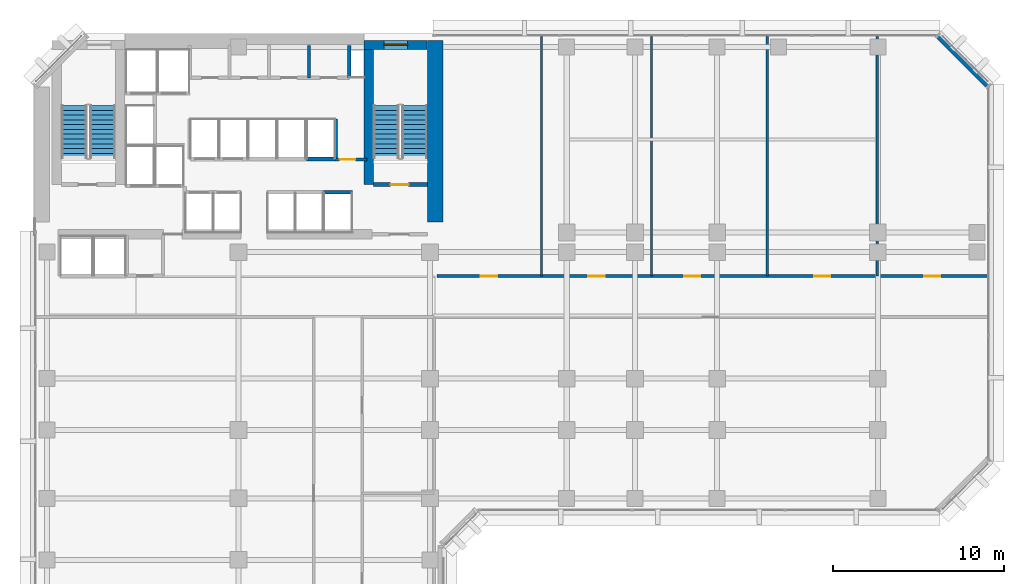
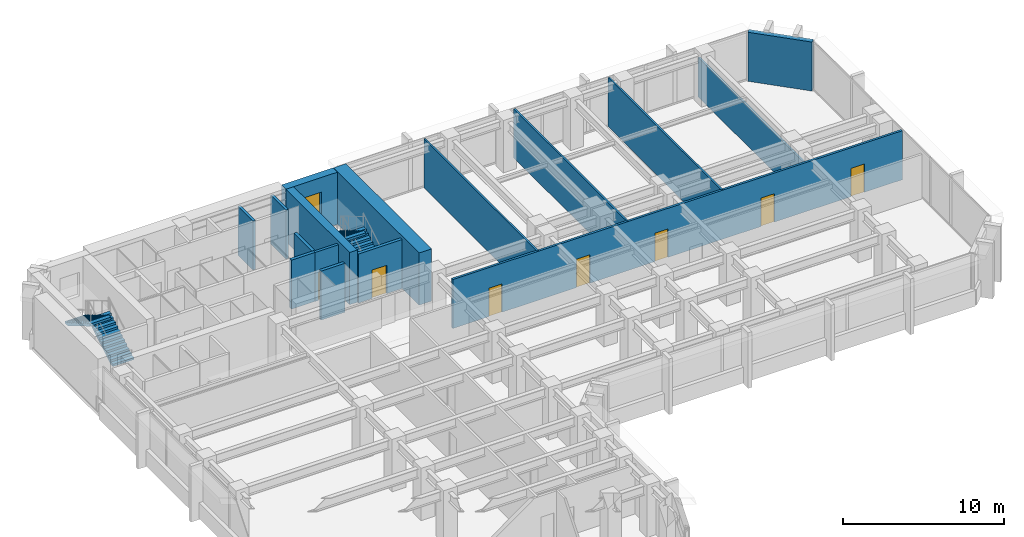
# One storey, part 8 of 13: 16 walls, 7 doors, 4 stair flights, 1 window, 8 openings, 2 elements without a shape of their own.
"""IFC4 building model written with IfcOpenShell, lengths in metres."""

from ifc_helpers import new_model, si_unit, direction, frame, frame_2d, origin, place, context, subcontext, project, spatial, polyline, rectangle, outline, extrude, material, layer, layer_set, type_object, element, fill, aggregate, save


model = new_model("IFC4")

# Units and contexts
model_context = context("Model", 3, precision=1e-05, world=origin(), true_north=direction((0.0, 1.0)))
body_context = subcontext(model_context, "Body", "Model", "MODEL_VIEW")
ifc_project = project(units=[si_unit("LENGTHUNIT", "METRE"), si_unit("AREAUNIT", "SQUARE_METRE"), si_unit("VOLUMEUNIT", "CUBIC_METRE"), si_unit("PLANEANGLEUNIT", "RADIAN"), si_unit("MASSUNIT", "GRAM", prefix="KILO")], contexts=[model_context])

# Site, building, storey
site_placement = place(None, origin())
site = spatial("IfcSite", under=ifc_project, at=site_placement, CompositionType="ELEMENT")
building_placement = place(site_placement, origin())
building = spatial("IfcBuilding", under=site, at=building_placement, Name="Kefirva Bronze Tower", CompositionType="ELEMENT")
storey_placement = place(building_placement, frame((0.0, 0.0, 73.919921875)))
storey = spatial("IfcBuildingStorey", under=building, at=storey_placement, Name="L17", CompositionType="ELEMENT", Elevation=73.919921875)

# Walls
ifc_material_1 = material(Name="Gypsum acoustic partition")
ifc_layer_1 = layer(ifc_material_1, 0.1298828125, Name="Gypsum acoustic partition")
ifc_layer_set_1 = layer_set([ifc_layer_1], Name="Gypsum acoustic partition")
wall_type_1 = type_object("IfcWallType", Name="Acoustic Office Partition 130mm", PredefinedType="PARTITIONING", material=ifc_layer_set_1)
for number, where, z_axis, x_axis, name in (
    (1, (29.719970703125, 31.800048828125, 0.0), (0.0, 0.0, 1.0), (0.0, 1.0, 0.0), "L17 Partition W-L17-END1"),
    (2, (36.161865234375, 31.800048828125, 0.0), (0.0, 0.0, 1.0), (0.0, 1.0, 0.0), "L17 Partition W-L17-END2"),
    (3, (42.926025390625, 31.800048828125, 0.0), (0.0, 0.0, 1.0), (0.0, 1.0, 0.0), "L17 Partition W-L17-END3"),
):
    element("IfcWall", number, at=place(storey_placement, frame(where, z_axis=z_axis, x_axis=x_axis)), inside=storey, type_object=wall_type_1, Name=name, PredefinedType="PARTITIONING", context=body_context, shape_type="SweptSolid", body=[
        extrude(rectangle(XDim=14.010009765625, YDim=0.1298828125, at=frame_2d((7.0048828125, 0.0))), origin(), (0.0, 0.0, 1.0), 3.7099609375),
    ])
wall_1_placement = place(storey_placement, frame((49.367919921875, 31.800048828125, 0.0), z_axis=(0.0, 0.0, 1.0), x_axis=(0.0, 1.0, 0.0)))
element("IfcWall", 4, at=wall_1_placement, inside=storey, type_object=wall_type_1, Name="L17 Partition W-L17-END4", PredefinedType="PARTITIONING", context=body_context, shape_type="SweptSolid", body=[
    extrude(rectangle(XDim=14.010009765625, YDim=0.1298828125, at=frame_2d((7.0048828125, 0.0))), origin(), (0.0, 0.0, 1.0), 2.9951171875),
])

# Wall, opening, door
ifc_material_2 = material(Name="Gypsum fireboard shaftwall")
ifc_layer_2 = layer(ifc_material_2, 0.219970703125, Name="Gypsum fireboard shaftwall")
ifc_layer_set_2 = layer_set([ifc_layer_2], Name="Gypsum fireboard shaftwall")
wall_type_2 = type_object("IfcWallType", Name="Fire-Rated Shaft Enclosure Wall 220mm", PredefinedType="PARTITIONING", material=ifc_layer_set_2)
wall_2_placement = place(storey_placement, frame((19.89990234375, 37.14990234375, 0.0), z_axis=(0.0, 0.0, 1.0), x_axis=(1.0, 0.0, 0.0)))
wall_2 = element("IfcWall", 5, at=wall_2_placement, inside=storey, type_object=wall_type_2, Name="L17 Partition W-L17-ST2S", PredefinedType="PARTITIONING", context=body_context, shape_type="SweptSolid", body=[
    extrude(rectangle(XDim=3.150146484375, YDim=0.219970703125, at=frame_2d((1.5751953125, 0.0))), origin(), (0.0, 0.0, 1.0), 3.7099609375),
])
opening_1_placement = place(wall_2_placement, frame((2.050048828125, 0.0, 0.0), z_axis=(0.0, 0.0, 1.0), x_axis=(-1.0, 0.0, 0.0)))
opening_1 = element("IfcOpeningElement", 6, at=opening_1_placement, cuts=wall_2, Name="Opening L17-D003", PredefinedType="OPENING", context=body_context, shape_type="SweptSolid", body=[
    extrude(rectangle(XDim=1.050048828125, YDim=2.14990234375, at=frame_2d((0.52490234375, 1.074951171875))), frame((0.0, 0.1201171875, 0.0), z_axis=(0.0, -1.0, 0.0), x_axis=(1.0, 0.0, 0.0)), (0.0, 0.0, 1.0), 0.239990234375),
])
ifc_material_3 = material(Name="Painted galvanized steel", Category="steel")
door_type_1 = type_object("IfcDoorType", Name="Fire Stair Enclosure Door 1050x2150 FD90S", OperationType="NOTDEFINED", PredefinedType="DOOR", material=ifc_material_3)
door_1_placement = place(opening_1_placement, origin())
door_1 = element("IfcDoor", 7, at=door_1_placement, inside=storey, type_object=door_type_1, Name="Door L17-D003", OperationType="SINGLE_SWING_LEFT", OverallHeight=2.14990234375, OverallWidth=1.050048828125, PredefinedType="DOOR", context=body_context, shape_type="SweptSolid", body=[
    extrude(rectangle(XDim=1.050048828125, YDim=2.14990234375, at=frame_2d((0.52490234375, 1.074951171875))), frame((0.0, 0.02490234375, 0.0), z_axis=(0.0, -1.0, 0.0), x_axis=(1.0, 0.0, 0.0)), (0.0, 0.0, 1.0), 0.050048828125),
])
fill(opening_1, door_1)

# Walls
wall_3_placement = place(storey_placement, frame((17.679931640625, 38.64990234375, 0.0), z_axis=(0.0, 0.0, 1.0), x_axis=(0.0, 1.0, 0.0)))
element("IfcWall", 8, at=wall_3_placement, inside=storey, type_object=wall_type_2, Name="L17 Partition W-L17-HP2E", PredefinedType="PARTITIONING", context=body_context, shape_type="SweptSolid", body=[
    extrude(rectangle(XDim=2.35009765625, YDim=0.199951171875, at=frame_2d((1.175048828125, 0.0))), origin(), (0.0, 0.0, 1.0), 3.7099609375),
])
wall_4_placement = place(storey_placement, frame((16.97998046875, 36.699951171875, 0.0), z_axis=(0.0, 0.0, 1.0), x_axis=(1.0, 0.0, 0.0)))
element("IfcWall", 9, at=wall_4_placement, inside=storey, type_object=wall_type_2, Name="L17 Partition W-L17-HPS", PredefinedType="PARTITIONING", context=body_context, shape_type="SweptSolid", body=[
    extrude(rectangle(XDim=1.699951171875, YDim=0.219970703125, at=frame_2d((0.85009765625, 0.0))), origin(), (0.0, 0.0, 1.0), 3.7099609375),
])
wall_5_placement = place(storey_placement, frame((15.97998046875, 38.64990234375, 0.0), z_axis=(0.0, 0.0, 1.0), x_axis=(1.0, 0.0, 0.0)))
element("IfcWall", 10, at=wall_5_placement, inside=storey, type_object=wall_type_2, Name="L17 Partition W-L17-HPN", PredefinedType="PARTITIONING", context=body_context, shape_type="SweptSolid", body=[
    extrude(rectangle(XDim=1.719970703125, YDim=0.219970703125, at=frame_2d((0.85986328125, 0.0))), origin(), (0.0, 0.0, 1.0), 3.7099609375),
])

# Wall, opening, door
ifc_material_4 = material(Name="Gypsum fireboard barrier")
ifc_layer_3 = layer(ifc_material_4, 0.199951171875, Name="Gypsum fireboard barrier")
ifc_layer_set_3 = layer_set([ifc_layer_3], Name="Gypsum fireboard barrier")
wall_type_3 = type_object("IfcWallType", Name="Firefighting Lobby Barrier Wall 200mm", PredefinedType="PARTITIONING", material=ifc_layer_set_3)
wall_6_placement = place(storey_placement, frame((17.679931640625, 38.6201171875, 0.0), z_axis=(0.0, 0.0, 1.0), x_axis=(1.0, 0.0, 0.0)))
wall_6 = element("IfcWall", 11, at=wall_6_placement, inside=storey, type_object=wall_type_3, Name="L17 Partition W-L17-CPASS", PredefinedType="PARTITIONING", context=body_context, shape_type="SweptSolid", body=[
    extrude(rectangle(XDim=1.840087890625, YDim=0.179931640625, at=frame_2d((0.919921875, 0.0))), origin(), (0.0, 0.0, 1.0), 3.7099609375),
])
opening_2_placement = place(wall_6_placement, frame((0.239990234375, 0.0, 0.0)))
opening_2 = element("IfcOpeningElement", 12, at=opening_2_placement, cuts=wall_6, Name="Opening L17-D-CPAS", PredefinedType="OPENING", context=body_context, shape_type="SweptSolid", body=[
    extrude(rectangle(XDim=0.919921875, YDim=2.10009765625, at=frame_2d((0.4599609375, 1.050048828125))), frame((0.0, 0.10009765625, 0.0), z_axis=(0.0, -1.0, 0.0), x_axis=(1.0, 0.0, 0.0)), (0.0, 0.0, 1.0), 0.199951171875),
])
ifc_material_5 = material(Name="Moisture-resistant timber", Category="wood")
door_type_2 = type_object("IfcDoorType", Name="Accessible Sanitary & WC Door 920x2100", OperationType="NOTDEFINED", PredefinedType="DOOR", material=ifc_material_5)
door_2_placement = place(opening_2_placement, origin())
door_2 = element("IfcDoor", 13, at=door_2_placement, inside=storey, type_object=door_type_2, Name="Door L17-D-CPAS", OperationType="SINGLE_SWING_LEFT", OverallHeight=2.10009765625, OverallWidth=0.919921875, PredefinedType="DOOR", context=body_context, shape_type="SweptSolid", body=[
    extrude(rectangle(XDim=0.919921875, YDim=2.10009765625, at=frame_2d((0.4599609375, 1.050048828125))), frame((0.0, 0.02490234375, 0.0), z_axis=(0.0, -1.0, 0.0), x_axis=(1.0, 0.0, 0.0)), (0.0, 0.0, 1.0), 0.050048828125),
])
fill(opening_2, door_2)

# Wall
ifc_material_6 = material(Name="Precast concrete C40/50", Category="concrete")
ifc_layer_4 = layer(ifc_material_6, 0.320068359375, Name="Precast concrete C40/50")
ifc_layer_set_4 = layer_set([ifc_layer_4], Name="Precast concrete C40/50")
wall_type_4 = type_object("IfcWallType", Name="Precast Insulated Exterior Wall 320mm", PredefinedType="SOLIDWALL", material=ifc_layer_set_4)
wall_7_placement = place(storey_placement, frame((55.847900390625, 42.92578125, 0.0), z_axis=(0.0, 0.0, 1.0), x_axis=(-0.707106781187, 0.707106781187, 0.0)))
element("IfcWall", 14, at=wall_7_placement, inside=storey, type_object=wall_type_4, Name="L17 Exterior Facade Wall 5", PredefinedType="SOLIDWALL", context=body_context, shape_type="SweptSolid", body=[
    extrude(rectangle(XDim=4.132568359375, YDim=0.320068359375, at=frame_2d((2.06640625, 0.0))), origin(), (0.0, 0.0, 1.0), 3.7099609375),
])

# Wall, openings, doors
ifc_layer_5 = layer(ifc_material_1, 0.159912109375, Name="Gypsum acoustic partition")
ifc_layer_set_5 = layer_set([ifc_layer_5], Name="Gypsum acoustic partition")
wall_type_5 = type_object("IfcWallType", Name="Protected Corridor Partition 160mm", PredefinedType="PARTITIONING", material=ifc_layer_set_5)
wall_8_placement = place(storey_placement, frame((23.60009765625, 31.800048828125, 0.0), z_axis=(0.0, 0.0, 1.0), x_axis=(1.0, 0.0, 0.0)))
wall_8 = element("IfcWall", 15, at=wall_8_placement, inside=storey, type_object=wall_type_5, Name="L17 Partition W-L17-EWN", PredefinedType="PARTITIONING", context=body_context, shape_type="SweptSolid", body=[
    extrude(rectangle(XDim=32.2099609375, YDim=0.159912109375, at=frame_2d((16.10498046875, 0.0))), origin(), (0.0, 0.0, 1.0), 3.7099609375),
])
opening_3_placement = place(wall_8_placement, frame((2.5849609375, 0.0, 0.0)))
opening_3 = element("IfcOpeningElement", 16, at=opening_3_placement, cuts=wall_8, Name="Opening L17-D-EN1", PredefinedType="OPENING", context=body_context, shape_type="SweptSolid", body=[
    extrude(rectangle(XDim=0.949951171875, YDim=2.14990234375, at=frame_2d((0.47509765625, 1.074951171875))), frame((0.0, 0.08984375, 0.0), z_axis=(0.0, -1.0, 0.0), x_axis=(1.0, 0.0, 0.0)), (0.0, 0.0, 1.0), 0.179931640625),
])
opening_4_placement = place(wall_8_placement, frame((8.865966796875, 0.0, 0.0)))
opening_4 = element("IfcOpeningElement", 17, at=opening_4_placement, cuts=wall_8, Name="Opening L17-D-EN2", PredefinedType="OPENING", context=body_context, shape_type="SweptSolid", body=[
    extrude(rectangle(XDim=0.949951171875, YDim=2.14990234375, at=frame_2d((0.47509765625, 1.074951171875))), frame((0.0, 0.08984375, 0.0), z_axis=(0.0, -1.0, 0.0), x_axis=(1.0, 0.0, 0.0)), (0.0, 0.0, 1.0), 0.179931640625),
])
opening_5_placement = place(wall_8_placement, frame((14.468994140625, 0.0, 0.0)))
opening_5 = element("IfcOpeningElement", 18, at=opening_5_placement, cuts=wall_8, Name="Opening L17-D-EN3", PredefinedType="OPENING", context=body_context, shape_type="SweptSolid", body=[
    extrude(rectangle(XDim=0.949951171875, YDim=2.14990234375, at=frame_2d((0.47509765625, 1.074951171875))), frame((0.0, 0.08984375, 0.0), z_axis=(0.0, -1.0, 0.0), x_axis=(1.0, 0.0, 0.0)), (0.0, 0.0, 1.0), 0.179931640625),
])
opening_6_placement = place(wall_8_placement, frame((22.072021484375, 0.0, 0.0)))
opening_6 = element("IfcOpeningElement", 19, at=opening_6_placement, cuts=wall_8, Name="Opening L17-D-EN4", PredefinedType="OPENING", context=body_context, shape_type="SweptSolid", body=[
    extrude(rectangle(XDim=0.949951171875, YDim=2.14990234375, at=frame_2d((0.47509765625, 1.074951171875))), frame((0.0, 0.08984375, 0.0), z_axis=(0.0, -1.0, 0.0), x_axis=(1.0, 0.0, 0.0)), (0.0, 0.0, 1.0), 0.179931640625),
])
opening_7_placement = place(wall_8_placement, frame((28.513916015625, 0.0, 0.0)))
opening_7 = element("IfcOpeningElement", 20, at=opening_7_placement, cuts=wall_8, Name="Opening L17-D-EN5", PredefinedType="OPENING", context=body_context, shape_type="SweptSolid", body=[
    extrude(rectangle(XDim=0.949951171875, YDim=2.14990234375, at=frame_2d((0.47509765625, 1.074951171875))), frame((0.0, 0.08984375, 0.0), z_axis=(0.0, -1.0, 0.0), x_axis=(1.0, 0.0, 0.0)), (0.0, 0.0, 1.0), 0.179931640625),
])
ifc_material_7 = material(Name="Acoustic hardwood oak", Category="wood")
door_type_3 = type_object("IfcDoorType", Name="Office & Meeting Room Door 950x2150", OperationType="NOTDEFINED", PredefinedType="DOOR", material=ifc_material_7)
door_3_placement = place(opening_3_placement, origin())
door_3 = element("IfcDoor", 21, at=door_3_placement, inside=storey, type_object=door_type_3, Name="Door L17-D-EN1", OperationType="SINGLE_SWING_LEFT", OverallHeight=2.14990234375, OverallWidth=0.949951171875, PredefinedType="DOOR", context=body_context, shape_type="SweptSolid", body=[
    extrude(rectangle(XDim=0.949951171875, YDim=2.14990234375, at=frame_2d((0.47509765625, 1.074951171875))), frame((0.0, 0.02490234375, 0.0), z_axis=(0.0, -1.0, 0.0), x_axis=(1.0, 0.0, 0.0)), (0.0, 0.0, 1.0), 0.050048828125),
])
fill(opening_3, door_3)
door_4_placement = place(opening_4_placement, origin())
door_4 = element("IfcDoor", 22, at=door_4_placement, inside=storey, type_object=door_type_3, Name="Door L17-D-EN2", OperationType="SINGLE_SWING_RIGHT", OverallHeight=2.14990234375, OverallWidth=0.949951171875, PredefinedType="DOOR", context=body_context, shape_type="SweptSolid", body=[
    extrude(rectangle(XDim=0.949951171875, YDim=2.14990234375, at=frame_2d((0.47509765625, 1.074951171875))), frame((0.0, 0.02490234375, 0.0), z_axis=(0.0, -1.0, 0.0), x_axis=(1.0, 0.0, 0.0)), (0.0, 0.0, 1.0), 0.050048828125),
])
fill(opening_4, door_4)
door_5_placement = place(opening_5_placement, origin())
door_5 = element("IfcDoor", 23, at=door_5_placement, inside=storey, type_object=door_type_3, Name="Door L17-D-EN3", OperationType="SINGLE_SWING_LEFT", OverallHeight=2.14990234375, OverallWidth=0.949951171875, PredefinedType="DOOR", context=body_context, shape_type="SweptSolid", body=[
    extrude(rectangle(XDim=0.949951171875, YDim=2.14990234375, at=frame_2d((0.47509765625, 1.074951171875))), frame((0.0, 0.02490234375, 0.0), z_axis=(0.0, -1.0, 0.0), x_axis=(1.0, 0.0, 0.0)), (0.0, 0.0, 1.0), 0.050048828125),
])
fill(opening_5, door_5)
door_6_placement = place(opening_6_placement, origin())
door_6 = element("IfcDoor", 24, at=door_6_placement, inside=storey, type_object=door_type_3, Name="Door L17-D-EN4", OperationType="SINGLE_SWING_RIGHT", OverallHeight=2.14990234375, OverallWidth=0.949951171875, PredefinedType="DOOR", context=body_context, shape_type="SweptSolid", body=[
    extrude(rectangle(XDim=0.949951171875, YDim=2.14990234375, at=frame_2d((0.47509765625, 1.074951171875))), frame((0.0, 0.02490234375, 0.0), z_axis=(0.0, -1.0, 0.0), x_axis=(1.0, 0.0, 0.0)), (0.0, 0.0, 1.0), 0.050048828125),
])
fill(opening_6, door_6)
door_7_placement = place(opening_7_placement, origin())
door_7 = element("IfcDoor", 25, at=door_7_placement, inside=storey, type_object=door_type_3, Name="Door L17-D-EN5", OperationType="SINGLE_SWING_LEFT", OverallHeight=2.14990234375, OverallWidth=0.949951171875, PredefinedType="DOOR", context=body_context, shape_type="SweptSolid", body=[
    extrude(rectangle(XDim=0.949951171875, YDim=2.14990234375, at=frame_2d((0.47509765625, 1.074951171875))), frame((0.0, 0.02490234375, 0.0), z_axis=(0.0, -1.0, 0.0), x_axis=(1.0, 0.0, 0.0)), (0.0, 0.0, 1.0), 0.050048828125),
])
fill(opening_7, door_7)

# Wall, opening, window
ifc_material_8 = material(Name="Concrete C50/60", Category="concrete")
ifc_layer_6 = layer(ifc_material_8, 0.550048828125, Name="Concrete C50/60")
ifc_layer_set_6 = layer_set([ifc_layer_6], Name="Concrete C50/60")
wall_type_6 = type_object("IfcWallType", Name="RC Rear Core Exterior Wall 550mm", PredefinedType="SHEAR", material=ifc_layer_set_6)
wall_9_placement = place(storey_placement, frame((19.35009765625, 45.320068359375, 0.0), z_axis=(0.0, 0.0, 1.0), x_axis=(1.0, 0.0, 0.0)))
wall_9 = element("IfcWall", 26, at=wall_9_placement, inside=storey, type_object=wall_type_6, Name="L17 Stair 2 North Shear Wall", PredefinedType="SHEAR", context=body_context, shape_type="SweptSolid", body=[
    extrude(rectangle(XDim=3.68994140625, YDim=0.550048828125, at=frame_2d((1.844970703125, 0.0))), origin(), (0.0, 0.0, 1.0), 3.9599609375),
])
opening_8_placement = place(wall_9_placement, frame((1.14990234375, 0.0, 1.050048828125)))
opening_8 = element("IfcOpeningElement", 27, at=opening_8_placement, cuts=wall_9, Name="Opening WN-03", PredefinedType="OPENING", context=body_context, shape_type="SweptSolid", body=[
    extrude(rectangle(XDim=1.39990234375, YDim=1.800048828125, at=frame_2d((0.699951171875, 0.89990234375))), frame((0.0, 0.28515625, 0.0), z_axis=(0.0, -1.0, 0.0), x_axis=(1.0, 0.0, 0.0)), (0.0, 0.0, 1.0), 0.570068359375),
])
ifc_material_9 = material(Name="Laminated low-E double glazing", Category="glass")
window_type = type_object("IfcWindowType", Name="Rear-Core Stair Daylight Window 1400x1800", PartitioningType="SINGLE_PANEL", PredefinedType="WINDOW", material=ifc_material_9)
window_placement = place(opening_8_placement, origin())
window = element("IfcWindow", 28, at=window_placement, inside=storey, type_object=window_type, Name="L17 Stair 2 Daylight Window", OverallHeight=1.800048828125, OverallWidth=1.39990234375, PartitioningType="SINGLE_PANEL", PredefinedType="WINDOW", context=body_context, shape_type="SweptSolid", body=[
    extrude(rectangle(XDim=1.39990234375, YDim=1.800048828125, at=frame_2d((0.699951171875, 0.89990234375))), frame((0.0, 0.030029296875, 0.0), z_axis=(0.0, -1.0, 0.0), x_axis=(1.0, 0.0, 0.0)), (0.0, 0.0, 1.0), 0.06005859375),
])
fill(opening_8, window)

# Walls
ifc_layer_7 = layer(ifc_material_8, 0.550048828125, Name="Concrete C50/60")
ifc_layer_set_7 = layer_set([ifc_layer_7], Name="Concrete C50/60")
wall_type_7 = type_object("IfcWallType", Name="RC Rear Core Interior Wall 550mm", PredefinedType="SHEAR", material=ifc_layer_set_7)
wall_10_placement = place(storey_placement, frame((19.6201171875, 37.14990234375, 0.0), z_axis=(0.0, 0.0, 1.0), x_axis=(0.0, 1.0, 0.0)))
element("IfcWall", 29, at=wall_10_placement, inside=storey, type_object=wall_type_7, Name="L17 Stair 2 West Shear Wall", PredefinedType="SHEAR", context=body_context, shape_type="SweptSolid", body=[
    extrude(rectangle(XDim=7.89013671875, YDim=0.550048828125, at=frame_2d((3.945068359375, 0.0))), origin(), (0.0, 0.0, 1.0), 3.9599609375),
])
ifc_material_10 = material(Name="Concrete C60/75", Category="concrete")
ifc_layer_8 = layer(ifc_material_10, 0.89990234375, Name="Concrete C60/75")
ifc_layer_set_8 = layer_set([ifc_layer_8], Name="Concrete C60/75")
wall_type_8 = type_object("IfcWallType", Name="RC Rear Core Interior Wall 900mm", PredefinedType="SHEAR", material=ifc_layer_set_8)
wall_11_placement = place(storey_placement, frame((23.5, 34.949951171875, 0.0), z_axis=(0.0, 0.0, 1.0), x_axis=(0.0, 1.0, 0.0)))
element("IfcWall", 30, at=wall_11_placement, inside=storey, type_object=wall_type_8, Name="L17 Rear Core East Shear Wall", PredefinedType="SHEAR", context=body_context, shape_type="SweptSolid", body=[
    extrude(rectangle(XDim=10.64013671875, YDim=0.89990234375, at=frame_2d((5.320068359375, 0.0))), origin(), (0.0, 0.0, 1.0), 3.9599609375),
])
ifc_material_11 = material(Name="Moisture-resistant partition")
ifc_layer_9 = layer(ifc_material_11, 0.179931640625, Name="Moisture-resistant partition")
ifc_layer_set_9 = layer_set([ifc_layer_9], Name="Moisture-resistant partition")
wall_type_9 = type_object("IfcWallType", Name="Sanitary Plumbing Chase Wall 180mm", PredefinedType="PLUMBINGWALL", material=ifc_layer_set_9)
for number, where, z_axis, x_axis, name in (
    (31, (18.47998046875, 43.39990234375, 0.0), (0.0, 0.0, 1.0), (0.0, 1.0, 0.0), "L17 Partition W-L17-SVCE"),
    (32, (16.1201171875, 43.39990234375, 0.0), (0.0, 0.0, 1.0), (0.0, 1.0, 0.0), "L17 Partition W-L17-CSVD-3"),
):
    element("IfcWall", number, at=place(storey_placement, frame(where, z_axis=z_axis, x_axis=x_axis)), inside=storey, type_object=wall_type_9, Name=name, PredefinedType="PLUMBINGWALL", context=body_context, shape_type="SweptSolid", body=[
        extrude(rectangle(XDim=1.880126953125, YDim=0.179931640625, at=frame_2d((0.93994140625, 0.0))), origin(), (0.0, 0.0, 1.0), 3.7099609375),
    ])

# Stair, stair flights
ifc_material_12 = material(Name="Concrete C40/50", Category="concrete")
stair_type = type_object("IfcStairType", Name="RC Dogleg Protected Stair 24R", PredefinedType="HALF_TURN_STAIR", material=ifc_material_12)
stair_1_placement = place(storey_placement, origin())
stair_1 = element("IfcStair", 33, at=stair_1_placement, inside=storey, type_object=stair_type, Name="L17 Protected Exit Stair 1", PredefinedType="HALF_TURN_STAIR")
stair_flight_type = type_object("IfcStairFlightType", Name="RC Straight Stair Flight 24R", PredefinedType="STRAIGHT", material=ifc_material_12)
stair_flight_1_placement = place(storey_placement, frame((4.050048828125, 38.699951171875, 0.0), z_axis=(0.0, 0.0, 1.0), x_axis=(0.0, 1.0, 0.0)))
stair_flight_1 = element("IfcStairFlight", 34, at=stair_flight_1_placement, type_object=stair_flight_type, Name="ST-1 flight 1", NumberOfRisers=12, NumberOfTreads=11, PredefinedType="STRAIGHT", RiserHeight=0.165, TreadLength=0.28, context=body_context, shape_type="SweptSolid", body=[
    extrude(outline(polyline([(0.0, 0.0), (0.0, 0.1650390625), (0.280029296875, 0.1650390625), (0.280029296875, 0.330078125), (0.56005859375, 0.330078125), (0.56005859375, 0.4951171875), (0.840087890625, 0.4951171875), (0.840087890625, 0.659912109375), (1.1201171875, 0.659912109375), (1.1201171875, 0.824951171875), (1.39990234375, 0.824951171875), (1.39990234375, 0.989990234375), (1.679931640625, 0.989990234375), (1.679931640625, 1.155029296875), (1.9599609375, 1.155029296875), (1.9599609375, 1.320068359375), (2.239990234375, 1.320068359375), (2.239990234375, 1.485107421875), (2.52001953125, 1.485107421875), (2.52001953125, 1.64990234375), (2.800048828125, 1.64990234375), (2.800048828125, 1.81494140625), (3.080078125, 1.81494140625), (3.080078125, 1.97998046875), (3.080078125, 1.64111328125), (0.295166015625, 0.0), (0.0, 0.0)])), frame((0.0, 0.75, 0.0), z_axis=(0.0, -1.0, 0.0), x_axis=(1.0, 0.0, 0.0)), (0.0, 0.0, 1.0), 1.5),
])
stair_flight_2_placement = place(storey_placement, frame((2.39990234375, 41.780029296875, 1.97998046875), z_axis=(0.0, 0.0, 1.0), x_axis=(0.0, -1.0, 0.0)))
stair_flight_2 = element("IfcStairFlight", 35, at=stair_flight_2_placement, type_object=stair_flight_type, Name="ST-1 flight 2", NumberOfRisers=12, NumberOfTreads=11, PredefinedType="STRAIGHT", RiserHeight=0.165, TreadLength=0.28, context=body_context, shape_type="SweptSolid", body=[
    extrude(outline(polyline([(0.0, 0.0), (0.0, 0.1650390625), (0.280029296875, 0.1650390625), (0.280029296875, 0.330078125), (0.56005859375, 0.330078125), (0.56005859375, 0.4951171875), (0.840087890625, 0.4951171875), (0.840087890625, 0.659912109375), (1.1201171875, 0.659912109375), (1.1201171875, 0.824951171875), (1.39990234375, 0.824951171875), (1.39990234375, 0.989990234375), (1.679931640625, 0.989990234375), (1.679931640625, 1.155029296875), (1.9599609375, 1.155029296875), (1.9599609375, 1.320068359375), (2.239990234375, 1.320068359375), (2.239990234375, 1.485107421875), (2.52001953125, 1.485107421875), (2.52001953125, 1.64990234375), (2.800048828125, 1.64990234375), (2.800048828125, 1.81494140625), (3.080078125, 1.81494140625), (3.080078125, 1.97998046875), (3.080078125, 1.64111328125), (0.295166015625, 0.0), (0.0, 0.0)])), frame((0.0, 0.75, 0.0), z_axis=(0.0, -1.0, 0.0), x_axis=(1.0, 0.0, 0.0)), (0.0, 0.0, 1.0), 1.5),
])
aggregate(stair_1, [stair_flight_1, stair_flight_2])

stair_2_placement = place(storey_placement, origin())
stair_2 = element("IfcStair", 36, at=stair_2_placement, inside=storey, type_object=stair_type, Name="L17 Protected Exit Stair 2", PredefinedType="HALF_TURN_STAIR")
stair_flight_3_placement = place(storey_placement, frame((22.300048828125, 38.699951171875, 0.0), z_axis=(0.0, 0.0, 1.0), x_axis=(0.0, 1.0, 0.0)))
stair_flight_3 = element("IfcStairFlight", 37, at=stair_flight_3_placement, type_object=stair_flight_type, Name="ST-2 flight 1", NumberOfRisers=12, NumberOfTreads=11, PredefinedType="STRAIGHT", RiserHeight=0.165, TreadLength=0.28, context=body_context, shape_type="SweptSolid", body=[
    extrude(outline(polyline([(0.0, 0.0), (0.0, 0.1650390625), (0.280029296875, 0.1650390625), (0.280029296875, 0.330078125), (0.56005859375, 0.330078125), (0.56005859375, 0.4951171875), (0.840087890625, 0.4951171875), (0.840087890625, 0.659912109375), (1.1201171875, 0.659912109375), (1.1201171875, 0.824951171875), (1.39990234375, 0.824951171875), (1.39990234375, 0.989990234375), (1.679931640625, 0.989990234375), (1.679931640625, 1.155029296875), (1.9599609375, 1.155029296875), (1.9599609375, 1.320068359375), (2.239990234375, 1.320068359375), (2.239990234375, 1.485107421875), (2.52001953125, 1.485107421875), (2.52001953125, 1.64990234375), (2.800048828125, 1.64990234375), (2.800048828125, 1.81494140625), (3.080078125, 1.81494140625), (3.080078125, 1.97998046875), (3.080078125, 1.64111328125), (0.295166015625, 0.0), (0.0, 0.0)])), frame((0.0, 0.75, 0.0), z_axis=(0.0, -1.0, 0.0), x_axis=(1.0, 0.0, 0.0)), (0.0, 0.0, 1.0), 1.5),
])
stair_flight_4_placement = place(storey_placement, frame((20.64990234375, 41.780029296875, 1.97998046875), z_axis=(0.0, 0.0, 1.0), x_axis=(0.0, -1.0, 0.0)))
stair_flight_4 = element("IfcStairFlight", 38, at=stair_flight_4_placement, type_object=stair_flight_type, Name="ST-2 flight 2", NumberOfRisers=12, NumberOfTreads=11, PredefinedType="STRAIGHT", RiserHeight=0.165, TreadLength=0.28, context=body_context, shape_type="SweptSolid", body=[
    extrude(outline(polyline([(0.0, 0.0), (0.0, 0.1650390625), (0.280029296875, 0.1650390625), (0.280029296875, 0.330078125), (0.56005859375, 0.330078125), (0.56005859375, 0.4951171875), (0.840087890625, 0.4951171875), (0.840087890625, 0.659912109375), (1.1201171875, 0.659912109375), (1.1201171875, 0.824951171875), (1.39990234375, 0.824951171875), (1.39990234375, 0.989990234375), (1.679931640625, 0.989990234375), (1.679931640625, 1.155029296875), (1.9599609375, 1.155029296875), (1.9599609375, 1.320068359375), (2.239990234375, 1.320068359375), (2.239990234375, 1.485107421875), (2.52001953125, 1.485107421875), (2.52001953125, 1.64990234375), (2.800048828125, 1.64990234375), (2.800048828125, 1.81494140625), (3.080078125, 1.81494140625), (3.080078125, 1.97998046875), (3.080078125, 1.64111328125), (0.295166015625, 0.0), (0.0, 0.0)])), frame((0.0, 0.75, 0.0), z_axis=(0.0, -1.0, 0.0), x_axis=(1.0, 0.0, 0.0)), (0.0, 0.0, 1.0), 1.5),
])
aggregate(stair_2, [stair_flight_3, stair_flight_4])

save(model, "model.ifc")
